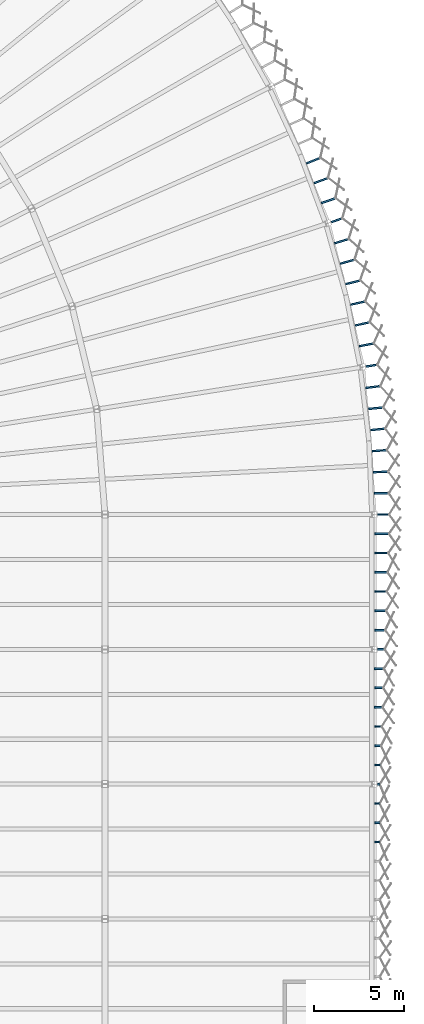
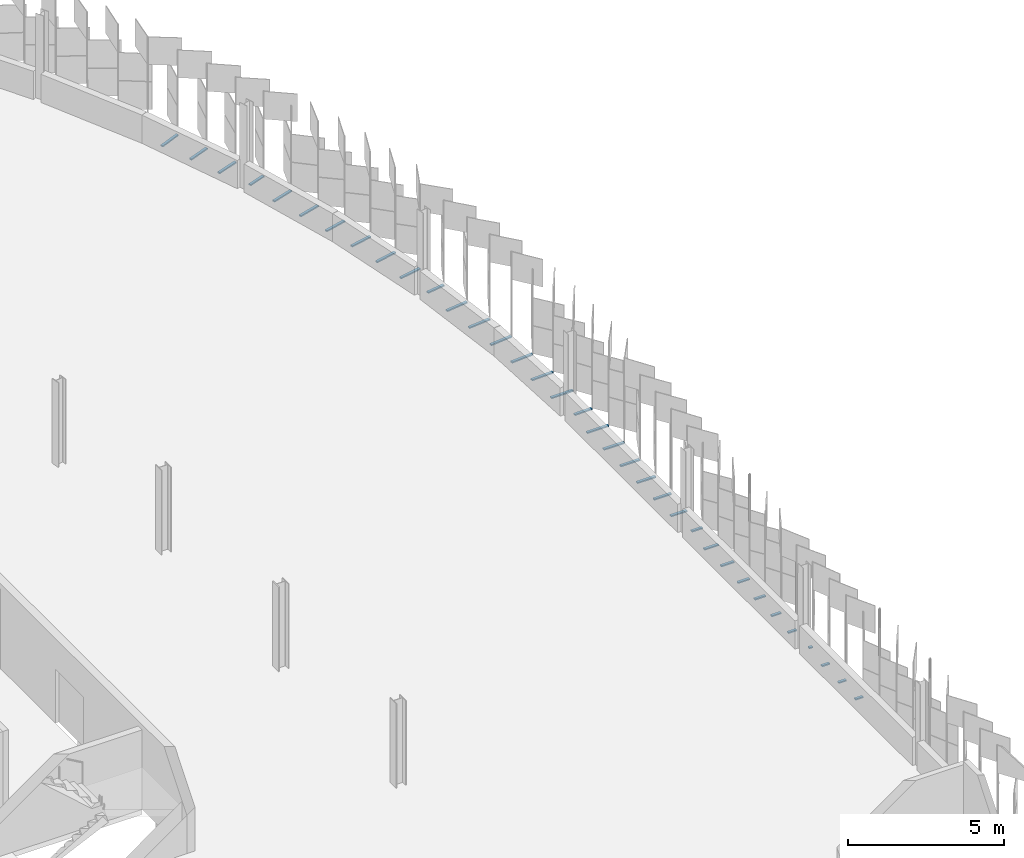
# One storey, part 172 of 198: 35 discrete accessories.
"""IFC4 building model written with IfcOpenShell, lengths in metres."""

from ifc_helpers import new_model, si_unit, direction, frame, origin, origin_2d, place, context, subcontext, project, spatial, rectangle, extrude, material, type_object, element, save


model = new_model("IFC4")

# Units and contexts
model_context = context("Model", 3, precision=1e-05, world=origin(), true_north=direction((0.0, 1.0)))
body_context = subcontext(model_context, "Body", "Model", "MODEL_VIEW")
ifc_project = project(units=[si_unit("LENGTHUNIT", "METRE"), si_unit("AREAUNIT", "SQUARE_METRE"), si_unit("VOLUMEUNIT", "CUBIC_METRE"), si_unit("PLANEANGLEUNIT", "RADIAN"), si_unit("MASSUNIT", "GRAM", prefix="KILO")], contexts=[model_context])

# Site, building, storey
site_placement = place(None, origin())
site = spatial("IfcSite", under=ifc_project, at=site_placement, CompositionType="ELEMENT")
building_placement = place(site_placement, origin())
building = spatial("IfcBuilding", under=site, at=building_placement, Name="Parallax Yard Mobility Hub", CompositionType="ELEMENT")
storey_placement = place(building_placement, frame((0.0, 0.0, 6.60009765625)))
storey = spatial("IfcBuildingStorey", under=building, at=storey_placement, Name="L02", CompositionType="ELEMENT", Elevation=6.60009765625)

# Discrete accessories
ifc_material = material(Name="Steel ASTM A36, hot-dip galvanised", Category="steel")
discrete_accessory_type = type_object("IfcDiscreteAccessoryType", Name="Hinge bracket plate 100x50", PredefinedType="BRACKET", material=ifc_material)
for number, where, z_axis, x_axis, name in (
    (1, (225.1416015625, 71.782958984375, -0.02490234375), (0.0, 0.0, 1.0), (1.0, 0.0, 0.0), "Hinge bracket plate bay 38.5 level L02"),
    (2, (225.1416015625, 72.854736328125, -0.02490234375), (0.0, 0.0, 1.0), (1.0, 0.0, 0.0), "Hinge bracket plate bay 38.6 level L02"),
    (3, (225.1416015625, 73.926513671875, -0.02490234375), (0.0, 0.0, 1.0), (1.0, 0.0, 0.0), "Hinge bracket plate bay 38.7 level L02"),
):
    element("IfcDiscreteAccessory", number, at=place(storey_placement, frame(where, z_axis=z_axis, x_axis=x_axis)), inside=storey, type_object=discrete_accessory_type, Name=name, PredefinedType="BRACKET", context=body_context, shape_type="SweptSolid", body=[
        extrude(rectangle(XDim=0.2841796875, YDim=0.10009765625, at=origin_2d()), origin(), (0.0, 0.0, 1.0), 0.050048828125),
    ])
discrete_accessory_1_placement = place(storey_placement, frame((225.21826171875, 74.998291015625, -0.02490234375), z_axis=(0.0, 0.0, 1.0), x_axis=(1.0, 0.0, 0.0)))
element("IfcDiscreteAccessory", 4, at=discrete_accessory_1_placement, inside=storey, type_object=discrete_accessory_type, Name="Hinge bracket plate bay 39.1 level L02", PredefinedType="BRACKET", context=body_context, shape_type="SweptSolid", body=[
    extrude(rectangle(XDim=0.130615234375, YDim=0.10009765625, at=origin_2d()), origin(), (0.0, 0.0, 1.0), 0.050048828125),
])
discrete_accessory_2_placement = place(storey_placement, frame((225.156982421875, 76.06982421875, -0.02490234375), z_axis=(0.0, 0.0, 1.0), x_axis=(1.0, 0.0, 0.0)))
element("IfcDiscreteAccessory", 5, at=discrete_accessory_2_placement, inside=storey, type_object=discrete_accessory_type, Name="Hinge bracket plate bay 39.2 level L02", PredefinedType="BRACKET", context=body_context, shape_type="SweptSolid", body=[
    extrude(rectangle(XDim=0.31494140625, YDim=0.10009765625, at=origin_2d()), origin(), (0.0, 0.0, 1.0), 0.050048828125),
])
discrete_accessory_3_placement = place(storey_placement, frame((225.177001953125, 77.1416015625, -0.02490234375), z_axis=(0.0, 0.0, 1.0), x_axis=(1.0, 0.0, 0.0)))
element("IfcDiscreteAccessory", 6, at=discrete_accessory_3_placement, inside=storey, type_object=discrete_accessory_type, Name="Hinge bracket plate bay 39.3 level L02", PredefinedType="BRACKET", context=body_context, shape_type="SweptSolid", body=[
    extrude(rectangle(XDim=0.35498046875, YDim=0.10009765625, at=origin_2d()), origin(), (0.0, 0.0, 1.0), 0.050048828125),
])
discrete_accessory_4_placement = place(storey_placement, frame((225.197021484375, 78.21337890625, -0.02490234375), z_axis=(0.0, 0.0, 1.0), x_axis=(1.0, 0.0, 0.0)))
element("IfcDiscreteAccessory", 7, at=discrete_accessory_4_placement, inside=storey, type_object=discrete_accessory_type, Name="Hinge bracket plate bay 39.4 level L02", PredefinedType="BRACKET", context=body_context, shape_type="SweptSolid", body=[
    extrude(rectangle(XDim=0.39501953125, YDim=0.10009765625, at=origin_2d()), origin(), (0.0, 0.0, 1.0), 0.050048828125),
])
discrete_accessory_5_placement = place(storey_placement, frame((225.217041015625, 79.28515625, -0.02490234375), z_axis=(0.0, 0.0, 1.0), x_axis=(1.0, 0.0, 0.0)))
element("IfcDiscreteAccessory", 8, at=discrete_accessory_5_placement, inside=storey, type_object=discrete_accessory_type, Name="Hinge bracket plate bay 39.5 level L02", PredefinedType="BRACKET", context=body_context, shape_type="SweptSolid", body=[
    extrude(rectangle(XDim=0.435302734375, YDim=0.10009765625, at=origin_2d()), origin(), (0.0, 0.0, 1.0), 0.050048828125),
])
discrete_accessory_6_placement = place(storey_placement, frame((225.237060546875, 80.356689453125, -0.02490234375), z_axis=(0.0, 0.0, 1.0), x_axis=(1.0, 0.0, 0.0)))
element("IfcDiscreteAccessory", 9, at=discrete_accessory_6_placement, inside=storey, type_object=discrete_accessory_type, Name="Hinge bracket plate bay 39.6 level L02", PredefinedType="BRACKET", context=body_context, shape_type="SweptSolid", body=[
    extrude(rectangle(XDim=0.47509765625, YDim=0.10009765625, at=origin_2d()), origin(), (0.0, 0.0, 1.0), 0.050048828125),
])
discrete_accessory_7_placement = place(storey_placement, frame((225.257080078125, 81.4287109375, -0.02490234375), z_axis=(0.0, 0.0, 1.0), x_axis=(1.0, 0.0, 0.0)))
element("IfcDiscreteAccessory", 10, at=discrete_accessory_7_placement, inside=storey, type_object=discrete_accessory_type, Name="Hinge bracket plate bay 39.7 level L02", PredefinedType="BRACKET", context=body_context, shape_type="SweptSolid", body=[
    extrude(rectangle(XDim=0.515380859375, YDim=0.10009765625, at=origin_2d()), origin(), (0.0, 0.0, 1.0), 0.050048828125),
])
discrete_accessory_8_placement = place(storey_placement, frame((225.35400390625, 82.500244140625, -0.02490234375), z_axis=(0.0, 0.0, 1.0), x_axis=(1.0, 0.0, 0.0)))
element("IfcDiscreteAccessory", 11, at=discrete_accessory_8_placement, inside=storey, type_object=discrete_accessory_type, Name="Hinge bracket plate bay 40.1 level L02", PredefinedType="BRACKET", context=body_context, shape_type="SweptSolid", body=[
    extrude(rectangle(XDim=0.40185546875, YDim=0.10009765625, at=origin_2d()), origin(), (0.0, 0.0, 1.0), 0.050048828125),
])
discrete_accessory_9_placement = place(storey_placement, frame((225.29736328125, 83.572021484375, -0.02490234375), z_axis=(0.0, 0.0, 1.0), x_axis=(1.0, 0.0, 0.0)))
element("IfcDiscreteAccessory", 12, at=discrete_accessory_9_placement, inside=storey, type_object=discrete_accessory_type, Name="Hinge bracket plate bay 40.2 level L02", PredefinedType="BRACKET", context=body_context, shape_type="SweptSolid", body=[
    extrude(rectangle(XDim=0.595458984375, YDim=0.10009765625, at=origin_2d()), origin(), (0.0, 0.0, 1.0), 0.050048828125),
])
discrete_accessory_10_placement = place(storey_placement, frame((225.3173828125, 84.643798828125, -0.02490234375), z_axis=(0.0, 0.0, 1.0), x_axis=(1.0, 0.0, 0.0)))
element("IfcDiscreteAccessory", 13, at=discrete_accessory_10_placement, inside=storey, type_object=discrete_accessory_type, Name="Hinge bracket plate bay 40.3 level L02", PredefinedType="BRACKET", context=body_context, shape_type="SweptSolid", body=[
    extrude(rectangle(XDim=0.635498046875, YDim=0.10009765625, at=origin_2d()), origin(), (0.0, 0.0, 1.0), 0.050048828125),
])
discrete_accessory_11_placement = place(storey_placement, frame((225.33740234375, 85.715576171875, -0.02490234375), z_axis=(0.0, 0.0, 1.0), x_axis=(1.0, 0.0, 0.0)))
element("IfcDiscreteAccessory", 14, at=discrete_accessory_11_placement, inside=storey, type_object=discrete_accessory_type, Name="Hinge bracket plate bay 40.4 level L02", PredefinedType="BRACKET", context=body_context, shape_type="SweptSolid", body=[
    extrude(rectangle(XDim=0.67578125, YDim=0.10009765625, at=origin_2d()), origin(), (0.0, 0.0, 1.0), 0.050048828125),
])
discrete_accessory_12_placement = place(storey_placement, frame((225.357421875, 86.787109375, -0.02490234375), z_axis=(0.0, 0.0, 1.0), x_axis=(1.0, 0.0, 0.0)))
element("IfcDiscreteAccessory", 15, at=discrete_accessory_12_placement, inside=storey, type_object=discrete_accessory_type, Name="Hinge bracket plate bay 40.5 level L02", PredefinedType="BRACKET", context=body_context, shape_type="SweptSolid", body=[
    extrude(rectangle(XDim=0.7158203125, YDim=0.10009765625, at=origin_2d()), origin(), (0.0, 0.0, 1.0), 0.050048828125),
])
discrete_accessory_13_placement = place(storey_placement, frame((225.37744140625, 87.85888671875, -0.02490234375), z_axis=(0.0, 0.0, 1.0), x_axis=(1.0, 0.0, 0.0)))
element("IfcDiscreteAccessory", 16, at=discrete_accessory_13_placement, inside=storey, type_object=discrete_accessory_type, Name="Hinge bracket plate bay 40.6 level L02", PredefinedType="BRACKET", context=body_context, shape_type="SweptSolid", body=[
    extrude(rectangle(XDim=0.755859375, YDim=0.10009765625, at=origin_2d()), origin(), (0.0, 0.0, 1.0), 0.050048828125),
])
discrete_accessory_14_placement = place(storey_placement, frame((225.3974609375, 88.9306640625, -0.02490234375), z_axis=(0.0, 0.0, 1.0), x_axis=(1.0, 0.0, 0.0)))
element("IfcDiscreteAccessory", 17, at=discrete_accessory_14_placement, inside=storey, type_object=discrete_accessory_type, Name="Hinge bracket plate bay 40.7 level L02", PredefinedType="BRACKET", context=body_context, shape_type="SweptSolid", body=[
    extrude(rectangle(XDim=0.7958984375, YDim=0.10009765625, at=origin_2d()), origin(), (0.0, 0.0, 1.0), 0.050048828125),
])
discrete_accessory_15_placement = place(storey_placement, frame((225.481201171875, 90.0048828125, -0.02490234375), z_axis=(0.0, 0.0, 1.0), x_axis=(0.999898038478, 0.01427979859, 0.0)))
element("IfcDiscreteAccessory", 18, at=discrete_accessory_15_placement, inside=storey, type_object=discrete_accessory_type, Name="Hinge bracket plate bay 41.1 level L02", PredefinedType="BRACKET", context=body_context, shape_type="SweptSolid", body=[
    extrude(rectangle(XDim=0.65234375, YDim=0.10009765625, at=origin_2d()), origin(), (0.0, 0.0, 1.0), 0.050048828125),
])
for number, where, z_axis, x_axis, name in (
    (19, (225.38671875, 91.188232421875, -0.02490234375), (0.0, 0.0, 1.0), (0.999898038478, 0.01427979859, 0.0), "Hinge bracket plate bay 41.2 level L02"),
    (20, (225.344970703125, 92.374755859375, -0.02490234375), (0.0, 0.0, 1.0), (0.999082545799, 0.042826004716, 0.0), "Hinge bracket plate bay 41.3 level L02"),
    (21, (225.278564453125, 93.560302734375, -0.02490234375), (0.0, 0.0, 1.0), (0.997452125929, 0.071339024937, 0.0), "Hinge bracket plate bay 41.4 level L02"),
    (22, (225.187744140625, 94.743896484375, -0.02490234375), (0.0, 0.0, 1.0), (0.995008133644, 0.099793857441, 0.0), "Hinge bracket plate bay 41.5 level L02"),
    (23, (225.069580078125, 95.922607421875, -0.02490234375), (0.0, 0.0, 1.0), (0.995008133644, 0.099793857441, 0.0), "Hinge bracket plate bay 41.6 level L02"),
    (24, (224.92041015625, 97.100341796875, -0.02490234375), (0.0, 0.0, 1.0), (0.991752786078, 0.12816556209, 0.0), "Hinge bracket plate bay 41.7 level L02"),
):
    element("IfcDiscreteAccessory", number, at=place(storey_placement, frame(where, z_axis=z_axis, x_axis=x_axis)), inside=storey, type_object=discrete_accessory_type, Name=name, PredefinedType="BRACKET", context=body_context, shape_type="SweptSolid", body=[
        extrude(rectangle(XDim=0.80810546875, YDim=0.10009765625, at=origin_2d()), origin(), (0.0, 0.0, 1.0), 0.050048828125),
    ])
discrete_accessory_16_placement = place(storey_placement, frame((224.82275390625, 98.287109375, -0.02490234375), z_axis=(0.0, 0.0, 1.0), x_axis=(0.987688340595, 0.15643446504, 0.0)))
element("IfcDiscreteAccessory", 25, at=discrete_accessory_16_placement, inside=storey, type_object=discrete_accessory_type, Name="Hinge bracket plate bay 42.1 level L02", PredefinedType="BRACKET", context=body_context, shape_type="SweptSolid", body=[
    extrude(rectangle(XDim=0.654541015625, YDim=0.10009765625, at=origin_2d()), origin(), (0.0, 0.0, 1.0), 0.050048828125),
])
for number, where, z_axis, x_axis, name in (
    (26, (224.548828125, 99.446044921875, -0.02490234375), (0.0, 0.0, 1.0), (0.982818286533, 0.184575772126, 0.0), "Hinge bracket plate bay 42.2 level L02"),
    (27, (224.32666015625, 100.61279296875, -0.02490234375), (0.0, 0.0, 1.0), (0.977146967152, 0.212564824432, 0.0), "Hinge bracket plate bay 42.3 level L02"),
    (28, (224.07470703125, 101.770751953125, -0.02490234375), (0.0, 0.0, 1.0), (0.977146967152, 0.212564824432, 0.0), "Hinge bracket plate bay 42.4 level L02"),
    (29, (223.795166015625, 102.925048828125, -0.02490234375), (0.0, 0.0, 1.0), (0.970678315125, 0.240382213455, 0.0), "Hinge bracket plate bay 42.5 level L02"),
    (30, (223.49169921875, 104.073486328125, -0.02490234375), (0.0, 0.0, 1.0), (0.963417928757, 0.268003534583, 0.0), "Hinge bracket plate bay 42.6 level L02"),
    (31, (223.16455078125, 105.215087890625, -0.02490234375), (0.0, 0.0, 1.0), (0.955372245566, 0.295404591031, 0.0), "Hinge bracket plate bay 42.7 level L02"),
):
    element("IfcDiscreteAccessory", number, at=place(storey_placement, frame(where, z_axis=z_axis, x_axis=x_axis)), inside=storey, type_object=discrete_accessory_type, Name=name, PredefinedType="BRACKET", context=body_context, shape_type="SweptSolid", body=[
        extrude(rectangle(XDim=0.80810546875, YDim=0.10009765625, at=origin_2d()), origin(), (0.0, 0.0, 1.0), 0.050048828125),
    ])
discrete_accessory_17_placement = place(storey_placement, frame((222.88720703125, 106.375, -0.02490234375), z_axis=(0.0, 0.0, 1.0), x_axis=(0.946546844685, 0.322566382032, 0.0)))
element("IfcDiscreteAccessory", 32, at=discrete_accessory_17_placement, inside=storey, type_object=discrete_accessory_type, Name="Hinge bracket plate bay 43.1 level L02", PredefinedType="BRACKET", context=body_context, shape_type="SweptSolid", body=[
    extrude(rectangle(XDim=0.65234375, YDim=0.10009765625, at=origin_2d()), origin(), (0.0, 0.0, 1.0), 0.050048828125),
])
for number, where, z_axis, x_axis, name in (
    (33, (222.431396484375, 107.47119140625, -0.02490234375), (0.0, 0.0, 1.0), (0.946546844685, 0.322566382032, 0.0), "Hinge bracket plate bay 43.2 level L02"),
    (34, (222.025146484375, 108.58740234375, -0.02490234375), (0.0, 0.0, 1.0), (0.93695000224, 0.349463436287, 0.0), "Hinge bracket plate bay 43.3 level L02"),
    (35, (221.595703125, 109.694580078125, -0.02490234375), (0.0, 0.0, 1.0), (0.92658837299, 0.37607710252, 0.0), "Hinge bracket plate bay 43.4 level L02"),
):
    element("IfcDiscreteAccessory", number, at=place(storey_placement, frame(where, z_axis=z_axis, x_axis=x_axis)), inside=storey, type_object=discrete_accessory_type, Name=name, PredefinedType="BRACKET", context=body_context, shape_type="SweptSolid", body=[
        extrude(rectangle(XDim=0.80810546875, YDim=0.10009765625, at=origin_2d()), origin(), (0.0, 0.0, 1.0), 0.050048828125),
    ])

save(model, "model.ifc")
